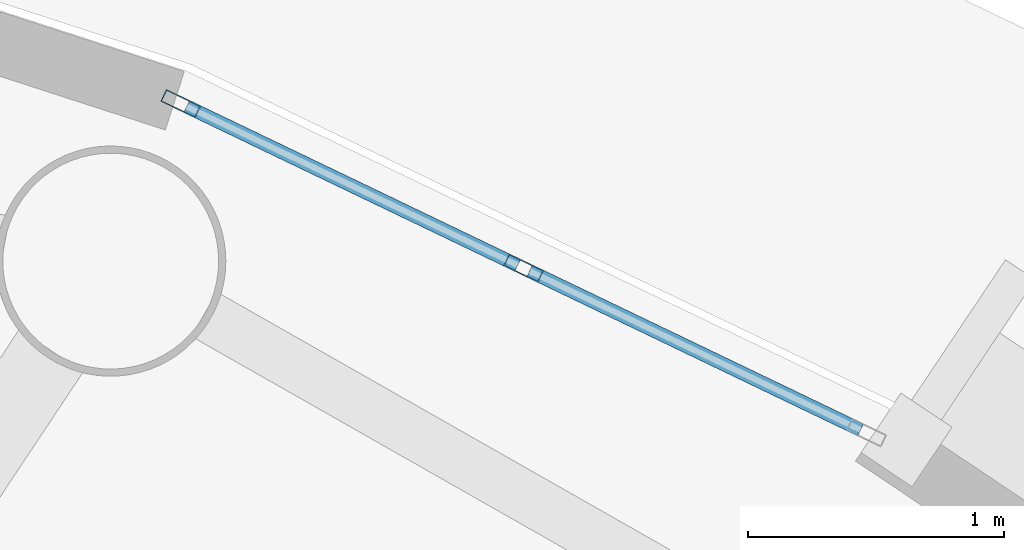
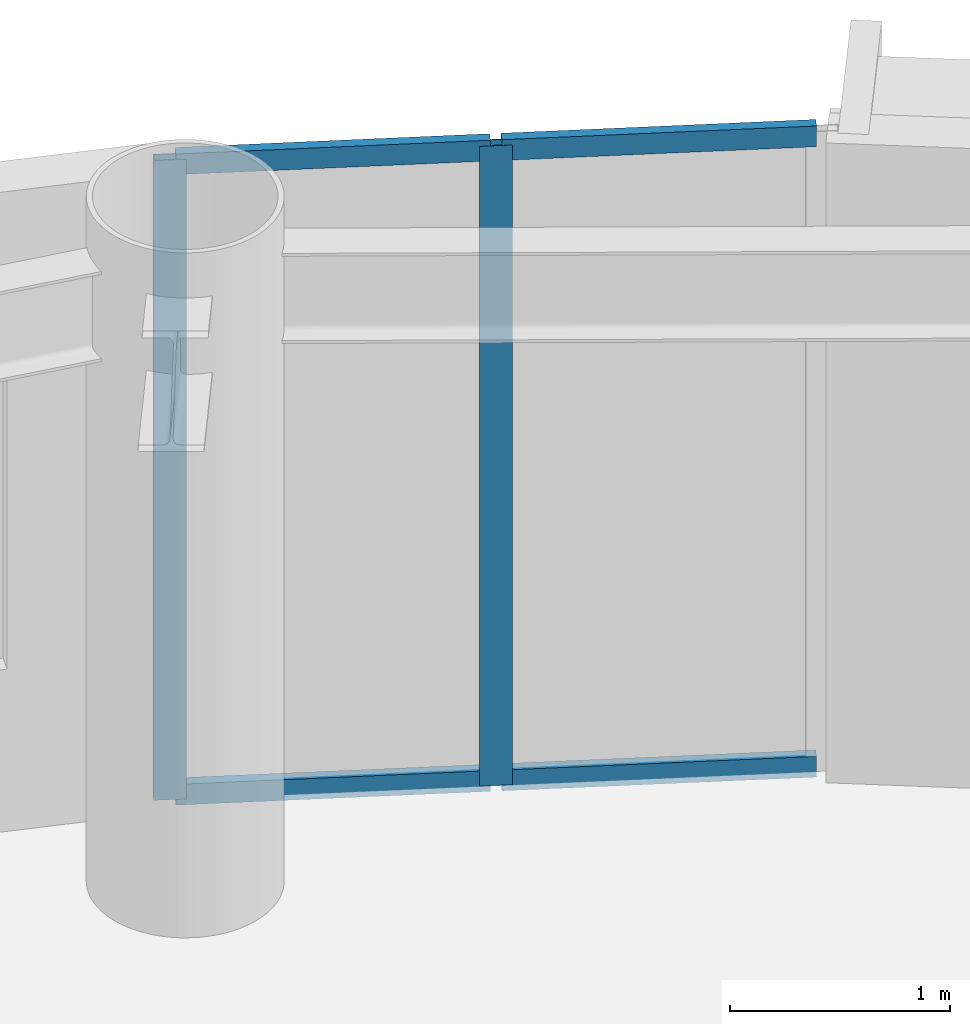
# One storey, part 3 of 17: 6 members, 1 element without a shape of its own.
"""IFC4 building model written with IfcOpenShell, lengths in metres."""

from ifc_helpers import new_model, si_unit, direction, frame, origin, origin_2d, place, context, subcontext, project, spatial, hollow_rectangle, extrude, source, transform, mapped, material, layer, layer_set, material_profile, profile_set, type_object, element, aggregate, save


model = new_model("IFC4")

# Units and contexts
model_context = context("Model", 3, precision=1e-05, world=origin(), true_north=direction((0.0, 1.0)))
body_context = subcontext(model_context, "Body", "Model", "MODEL_VIEW")
ifc_project = project(units=[si_unit("LENGTHUNIT", "METRE"), si_unit("AREAUNIT", "SQUARE_METRE"), si_unit("VOLUMEUNIT", "CUBIC_METRE"), si_unit("PLANEANGLEUNIT", "RADIAN"), si_unit("MASSUNIT", "GRAM", prefix="KILO")], contexts=[model_context])

# Site, building, storey
site_placement = place(None, origin())
site = spatial("IfcSite", under=ifc_project, at=site_placement, CompositionType="ELEMENT")
building_placement = place(site_placement, origin())
building = spatial("IfcBuilding", under=site, at=building_placement, Name="Linh Dai School and Residence Tower", CompositionType="ELEMENT")
storey_placement = place(building_placement, frame((0.0, 0.0, 324.0)))
storey = spatial("IfcBuildingStorey", under=building, at=storey_placement, Name="L80", CompositionType="ELEMENT", Elevation=324.0)

# Curtain wall, members
ifc_material_1 = material(Name="Aluminium Anodised Curtain Wall", Category="aluminium")
ifc_layer = layer(ifc_material_1, 0.14990234375)
ifc_layer_set = layer_set([ifc_layer], Name="Aluminium Anodised Curtain Wall")
curtain_wall_type = type_object("IfcCurtainWallType", Name="CW-SYS-4", PredefinedType="USERDEFINED", material=ifc_layer_set)
curtain_wall_placement = place(storey_placement, origin())
curtain_wall = element("IfcCurtainWall", 1, at=curtain_wall_placement, inside=storey, type_object=curtain_wall_type, Name="L80 CW4 Curtain Wall 07", ObjectType="RIBBON CURTAIN WALL", PredefinedType="USERDEFINED")
ifc_material_2 = material(Name="Aluminium Alloy 6063-T6", Category="aluminium")
ifc_material_profile_1 = material_profile(ifc_material_2, hollow_rectangle(XDim=0.052001953125, YDim=0.14990234375, WallThickness=0.00390625, at=origin_2d()), Name="RHS 150x52x4")
ifc_profile_set_1 = profile_set([ifc_material_profile_1], Name="Aluminium Alloy 6063-T6")
member_type_1 = type_object("IfcMemberType", Name="CW-SYS-4-MUL", PredefinedType="MULLION", material=ifc_profile_set_1)
shared_shape_1 = source(origin(), body_context, "Body", "SweptSolid", [
    extrude(hollow_rectangle(XDim=0.052001953125, YDim=0.14990234375, WallThickness=0.00390625, at=origin_2d()), origin(), (0.0, 0.0, 1.0), 3.550048828125),
])
member_1_placement = place(storey_placement, frame((45.283935546875, 41.177734375, 0.0), z_axis=(0.0, 0.0, 1.0), x_axis=(0.432673572418, 0.901550652892, 0.0)))
member_1 = element("IfcMember", 2, at=member_1_placement, type_object=member_type_1, Name="CW4 mullion 1", PredefinedType="MULLION", context=body_context, shape_type="MappedRepresentation", body=[
    mapped(shared_shape_1, transform((0.0, 0.0, 0.0), x_axis=(1.0, 0.0, 0.0), y_axis=(0.0, 1.0, 0.0), z_axis=(0.0, 0.0, 1.0), scale=1.0)),
])
member_2_placement = place(storey_placement, frame((46.6240234375, 40.53466796875, 0.0), z_axis=(0.0, 0.0, 1.0), x_axis=(0.432673572418, 0.901550652892, 0.0)))
member_2 = element("IfcMember", 3, at=member_2_placement, type_object=member_type_1, Name="CW4 mullion 2", PredefinedType="MULLION", context=body_context, shape_type="MappedRepresentation", body=[
    mapped(shared_shape_1, transform((0.0, 0.0, 0.0), x_axis=(1.0, 0.0, 0.0), y_axis=(0.0, 1.0, 0.0), z_axis=(0.0, 0.0, 1.0), scale=1.0)),
])
ifc_material_profile_2 = material_profile(ifc_material_2, hollow_rectangle(XDim=0.052001953125, YDim=0.114990234375, WallThickness=0.00390625, at=origin_2d()), Name="RHS 115x52x4")
ifc_profile_set_2 = profile_set([ifc_material_profile_2], Name="Aluminium Alloy 6063-T6")
member_type_2 = type_object("IfcMemberType", Name="CW-SYS-4-TRN", PredefinedType="USERDEFINED", material=ifc_profile_set_2)
shared_shape_2 = source(origin(), body_context, "Body", "SweptSolid", [
    extrude(hollow_rectangle(XDim=0.052001953125, YDim=0.114990234375, WallThickness=0.00390625, at=origin_2d()), origin(), (0.0, 0.0, 1.0), 1.434326171875),
])
member_3_placement = place(storey_placement, frame((45.307373046875, 41.16650390625, 0.02587890625), z_axis=(0.901560237422, -0.432653600817, 0.0), x_axis=(0.432653600817, 0.901560237422, 0.0)))
member_3 = element("IfcMember", 4, at=member_3_placement, type_object=member_type_2, Name="CW4 transom 1.1", ObjectType="TRANSOM", PredefinedType="USERDEFINED", context=body_context, shape_type="MappedRepresentation", body=[
    mapped(shared_shape_2, transform((0.0, 0.0, 0.0), x_axis=(1.0, 0.0, 0.0), y_axis=(0.0, 1.0, 0.0), z_axis=(0.0, 0.0, 1.0), scale=1.0)),
])
member_4_placement = place(storey_placement, frame((45.307373046875, 41.16650390625, 3.52392578125), z_axis=(0.901560237422, -0.432653600817, 0.0), x_axis=(0.432653600817, 0.901560237422, 0.0)))
member_4 = element("IfcMember", 5, at=member_4_placement, type_object=member_type_2, Name="CW4 transom 1.2", ObjectType="TRANSOM", PredefinedType="USERDEFINED", context=body_context, shape_type="MappedRepresentation", body=[
    mapped(shared_shape_2, transform((0.0, 0.0, 0.0), x_axis=(1.0, 0.0, 0.0), y_axis=(0.0, 1.0, 0.0), z_axis=(0.0, 0.0, 1.0), scale=1.0)),
])
shared_shape_3 = source(origin(), body_context, "Body", "SweptSolid", [
    extrude(hollow_rectangle(XDim=0.052001953125, YDim=0.114990234375, WallThickness=0.00390625, at=origin_2d()), origin(), (0.0, 0.0, 1.0), 1.434814453125),
])
member_5_placement = place(storey_placement, frame((46.6474609375, 40.5234375, 0.02587890625), z_axis=(0.901525712797, -0.432725535606, 0.0), x_axis=(0.432725535606, 0.901525712797, 0.0)))
member_5 = element("IfcMember", 6, at=member_5_placement, type_object=member_type_2, Name="CW4 transom 2.1", ObjectType="TRANSOM", PredefinedType="USERDEFINED", context=body_context, shape_type="MappedRepresentation", body=[
    mapped(shared_shape_3, transform((0.0, 0.0, 0.0), x_axis=(1.0, 0.0, 0.0), y_axis=(0.0, 1.0, 0.0), z_axis=(0.0, 0.0, 1.0), scale=1.0)),
])
member_6_placement = place(storey_placement, frame((46.6474609375, 40.5234375, 3.52392578125), z_axis=(0.901525712797, -0.432725535606, 0.0), x_axis=(0.432725535606, 0.901525712797, 0.0)))
member_6 = element("IfcMember", 7, at=member_6_placement, type_object=member_type_2, Name="CW4 transom 2.2", ObjectType="TRANSOM", PredefinedType="USERDEFINED", context=body_context, shape_type="MappedRepresentation", body=[
    mapped(shared_shape_3, transform((0.0, 0.0, 0.0), x_axis=(1.0, 0.0, 0.0), y_axis=(0.0, 1.0, 0.0), z_axis=(0.0, 0.0, 1.0), scale=1.0)),
])
aggregate(curtain_wall, [member_1, member_2, member_3, member_4, member_5, member_6])

save(model, "model.ifc")
